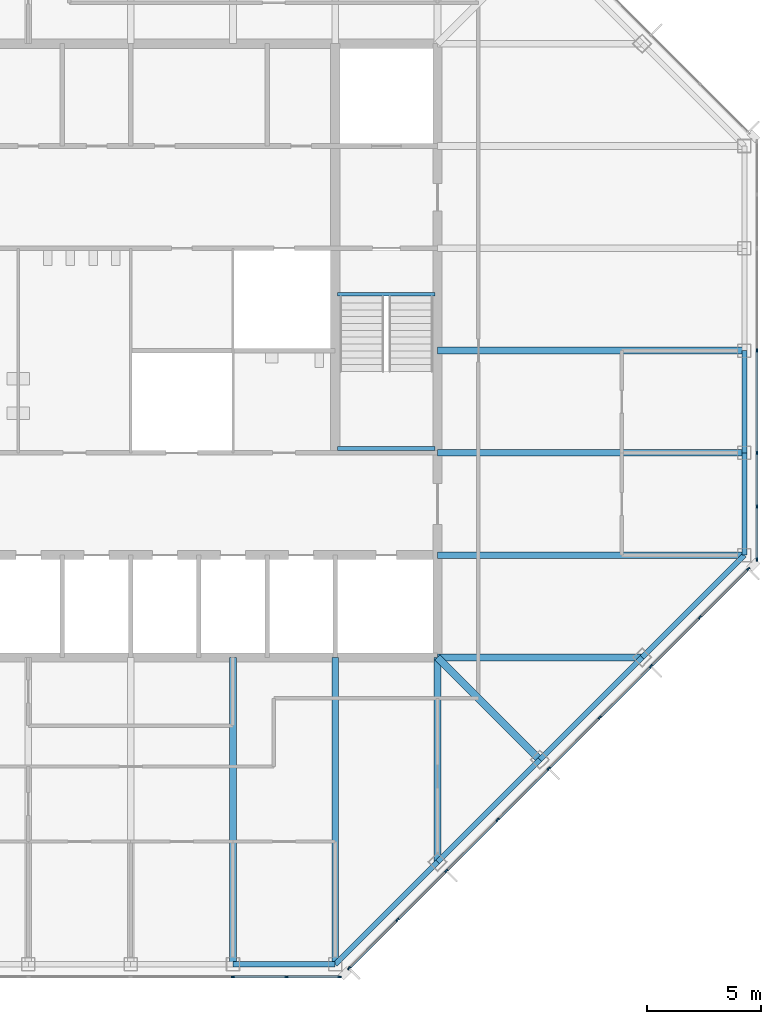
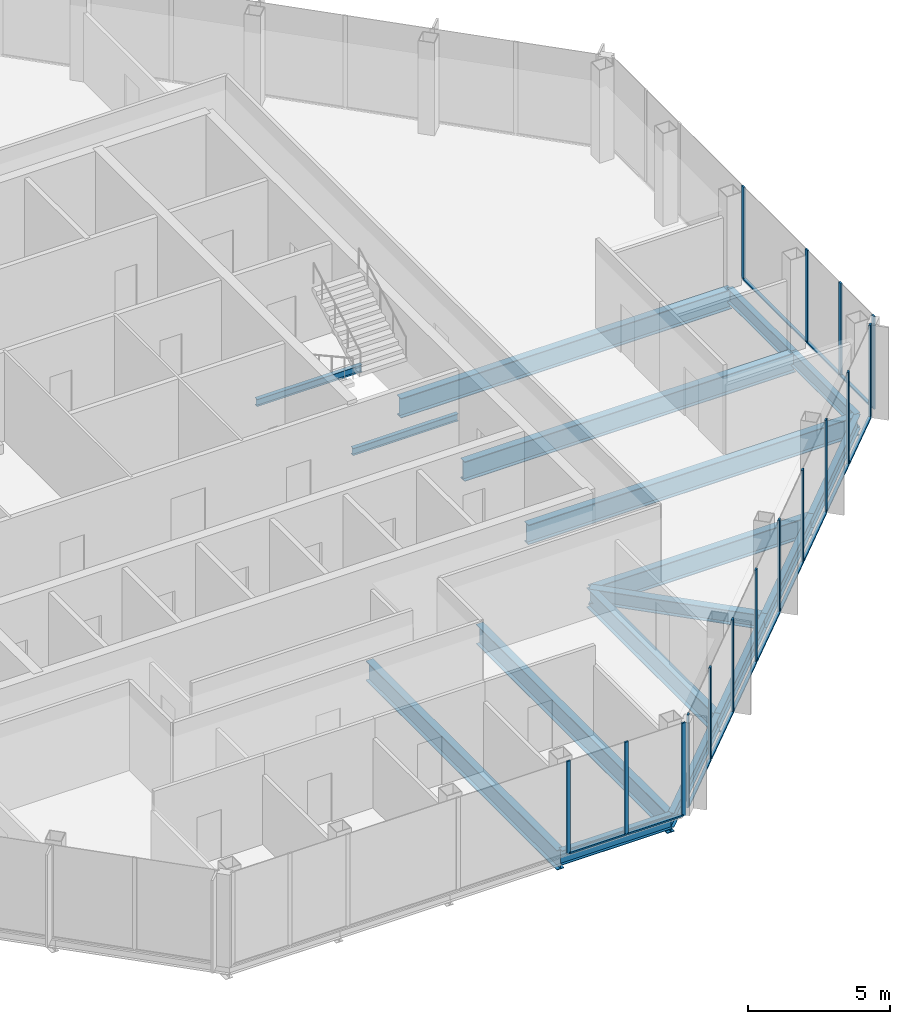
# One storey, part 4 of 13: 29 members, 17 beams, 3 elements without a shape of their own.
"""IFC4 building model written with IfcOpenShell, lengths in metres."""

from ifc_helpers import new_model, si_unit, direction, frame, origin, origin_2d, place, context, subcontext, project, spatial, rectangle, i_section, extrude, material, material_profile, profile_set, type_object, element, aggregate, save


model = new_model("IFC4")

# Units and contexts
model_context = context("Model", 3, precision=1e-05, world=origin(), true_north=direction((0.0, 1.0)))
body_context = subcontext(model_context, "Body", "Model", "MODEL_VIEW")
ifc_project = project(units=[si_unit("LENGTHUNIT", "METRE"), si_unit("AREAUNIT", "SQUARE_METRE"), si_unit("VOLUMEUNIT", "CUBIC_METRE"), si_unit("PLANEANGLEUNIT", "RADIAN"), si_unit("MASSUNIT", "GRAM", prefix="KILO")], contexts=[model_context])

# Site, building, storey
site_placement = place(None, origin())
site = spatial("IfcSite", under=ifc_project, at=site_placement, CompositionType="ELEMENT")
building_placement = place(site_placement, origin())
building = spatial("IfcBuilding", under=site, at=building_placement, Name="Corais Broadcast Tower", CompositionType="ELEMENT")
storey_placement = place(building_placement, frame((0.0, 0.0, 274.60009765625)))
storey = spatial("IfcBuildingStorey", under=building, at=storey_placement, Name="L64", CompositionType="ELEMENT", Elevation=274.60009765625)

# Beams
ifc_material_1 = material(Name="Steel ASTM A572 Grade 50", Category="steel")
ifc_material_profile_1 = material_profile(ifc_material_1, i_section(OverallWidth=0.323974609375, OverallDepth=0.611083984375, WebThickness=0.0126953125, FlangeThickness=0.01904296875, at=origin_2d()), Name="W610x155")
ifc_profile_set_1 = profile_set([ifc_material_profile_1], Name="Steel ASTM A572 Grade 50")
beam_type_1 = type_object("IfcBeamType", Name="Corner diagonal W610x155", PredefinedType="BEAM", material=ifc_profile_set_1)
beam_1_placement = place(storey_placement, frame((45.0, 9.0, -0.465576171875), z_axis=(-0.707106781187, 0.707106781187, 0.0), x_axis=(-0.707106781187, -0.707106781187, 0.0)))
element("IfcBeam", 1, at=beam_1_placement, inside=storey, type_object=beam_type_1, Name="B6 C/13 to D/12", PredefinedType="BEAM", context=body_context, shape_type="SweptSolid", body=[
    extrude(i_section(OverallWidth=0.323974609375, OverallDepth=0.611083984375, WebThickness=0.0126953125, FlangeThickness=0.01904296875, at=origin_2d()), origin(), (0.0, 0.0, 1.0), 6.364013671875),
])
ifc_material_2 = material(Name="Steel ASTM A572 Grade 50", Category="steel")
ifc_material_profile_2 = material_profile(ifc_material_2, i_section(OverallWidth=0.2939453125, OverallDepth=0.85107421875, WebThickness=0.01611328125, FlangeThickness=0.02685546875, at=origin_2d()), Name="W840x226")
ifc_profile_set_2 = profile_set([ifc_material_profile_2], Name="Steel ASTM A572 Grade 50")
beam_type_2 = type_object("IfcBeamType", Name="Floor beam W840x226", PredefinedType="BEAM", material=ifc_profile_set_2)
for number, where, z_axis, x_axis, name in (
    (2, (31.5, 0.0, -0.585693359375), (0.0, 1.0, 0.0), (-1.0, 0.0, 0.0), "B1 A/10 to D/10"),
    (3, (36.0, 0.0, -0.585693359375), (0.0, 1.0, 0.0), (-1.0, 0.0, 0.0), "B1 A/11 to D/11"),
):
    element("IfcBeam", number, at=place(storey_placement, frame(where, z_axis=z_axis, x_axis=x_axis)), inside=storey, type_object=beam_type_2, Name=name, PredefinedType="BEAM", context=body_context, shape_type="SweptSolid", body=[
        extrude(i_section(OverallWidth=0.2939453125, OverallDepth=0.85107421875, WebThickness=0.01611328125, FlangeThickness=0.02685546875, at=origin_2d()), origin(), (0.0, 0.0, 1.0), 13.5),
    ])
for number, where, z_axis, x_axis, name in (
    (4, (40.5, 4.5, -0.585693359375), (0.0, 1.0, 0.0), (-1.0, 0.0, 0.0), "B1 B/12 to D/12"),
    (5, (49.5, 13.5, -0.585693359375), (-1.0, 0.0, 0.0), (0.0, -1.0, 0.0), "B1 D/14 to D/12"),
):
    element("IfcBeam", number, at=place(storey_placement, frame(where, z_axis=z_axis, x_axis=x_axis)), inside=storey, type_object=beam_type_2, Name=name, PredefinedType="BEAM", context=body_context, shape_type="SweptSolid", body=[
        extrude(i_section(OverallWidth=0.2939453125, OverallDepth=0.85107421875, WebThickness=0.01611328125, FlangeThickness=0.02685546875, at=origin_2d()), origin(), (0.0, 0.0, 1.0), 9.0),
    ])
for number, where, z_axis, x_axis, name in (
    (6, (54.0, 18.0, -0.585693359375), (-1.0, 0.0, 0.0), (0.0, -1.0, 0.0), "B1 E/15 to E/12"),
    (7, (54.0, 22.5, -0.585693359375), (-1.0, 0.0, 0.0), (0.0, -1.0, 0.0), "B1 F/15 to F/12"),
    (8, (54.0, 27.0, -0.585693359375), (-1.0, 0.0, 0.0), (0.0, -1.0, 0.0), "B1 G/15 to G/12"),
):
    element("IfcBeam", number, at=place(storey_placement, frame(where, z_axis=z_axis, x_axis=x_axis)), inside=storey, type_object=beam_type_2, Name=name, PredefinedType="BEAM", context=body_context, shape_type="SweptSolid", body=[
        extrude(i_section(OverallWidth=0.2939453125, OverallDepth=0.85107421875, WebThickness=0.01611328125, FlangeThickness=0.02685546875, at=origin_2d()), origin(), (0.0, 0.0, 1.0), 13.5),
    ])
ifc_material_3 = material(Name="Steel ASTM A572 Grade 50", Category="steel")
ifc_material_profile_3 = material_profile(ifc_material_3, i_section(OverallWidth=0.1650390625, OverallDepth=0.31005859375, WebThickness=0.005859375, FlangeThickness=0.009765625, at=origin_2d()), Name="W310x38.7")
ifc_profile_set_3 = profile_set([ifc_material_profile_3], Name="Steel ASTM A572 Grade 50")
beam_type_3 = type_object("IfcBeamType", Name="Landing trimmer W310x38.7", PredefinedType="BEAM", material=ifc_profile_set_3)
for number, where, z_axis, x_axis, name in (
    (9, (36.10009765625, 29.47509765625, -0.35498046875), (1.0, 0.0, 0.0), (0.0, 1.0, 0.0), "LT1 stair B landing trimmer L64"),
    (10, (36.10009765625, 22.68994140625, 1.64501953125), (1.0, 0.0, 0.0), (0.0, 1.0, 0.0), "LT1 stair B half landing trimmer L64"),
):
    element("IfcBeam", number, at=place(storey_placement, frame(where, z_axis=z_axis, x_axis=x_axis)), inside=storey, type_object=beam_type_3, Name=name, PredefinedType="BEAM", context=body_context, shape_type="SweptSolid", body=[
        extrude(i_section(OverallWidth=0.1650390625, OverallDepth=0.31005859375, WebThickness=0.005859375, FlangeThickness=0.009765625, at=origin_2d()), origin(), (0.0, 0.0, 1.0), 4.2998046875),
    ])

# Curtain wall, members
ifc_material_4 = material(Name="Aluminium and glass", Category="aluminium")
curtain_wall_type = type_object("IfcCurtainWallType", Name="Unitised fritted curtain wall CW3", PredefinedType="NOTDEFINED", material=ifc_material_4)
curtain_wall_1_placement = place(storey_placement, origin())
curtain_wall_1 = element("IfcCurtainWall", 11, at=curtain_wall_1_placement, inside=storey, type_object=curtain_wall_type, Name="CW3 curtain wall L64 6", PredefinedType="NOTDEFINED")
ifc_material_5 = material(Name="Aluminium 6063-T6", Category="aluminium")
ifc_material_profile_4 = material_profile(ifc_material_5, rectangle(XDim=0.06494140625, YDim=0.159912109375, at=origin_2d()), Name="Mullion CW3 65x160")
ifc_profile_set_4 = profile_set([ifc_material_profile_4], Name="Aluminium 6063-T6")
member_type_1 = type_object("IfcMemberType", Name="Mullion CW3 65x160", PredefinedType="MULLION", material=ifc_profile_set_4)
member_1_placement = place(storey_placement, frame((54.550048828125, 27.0, 0.0), z_axis=(0.0, 0.0, 1.0), x_axis=(1.0, 0.0, 0.0)))
member_1 = element("IfcMember", 12, at=member_1_placement, type_object=member_type_1, Name="CW3 mullion 4", PredefinedType="MULLION", context=body_context, shape_type="SweptSolid", body=[
    extrude(rectangle(XDim=0.06494140625, YDim=0.159912109375, at=origin_2d()), origin(), (0.0, 0.0, 1.0), 4.0),
])
member_2_placement = place(storey_placement, frame((54.550048828125, 22.5, 0.0), z_axis=(0.0, 0.0, 1.0), x_axis=(1.0, 0.0, 0.0)))
member_2 = element("IfcMember", 13, at=member_2_placement, type_object=member_type_1, Name="CW3 mullion 5", PredefinedType="MULLION", context=body_context, shape_type="SweptSolid", body=[
    extrude(rectangle(XDim=0.06494140625, YDim=0.159912109375, at=origin_2d()), origin(), (0.0, 0.0, 1.0), 4.0),
])
member_3_placement = place(storey_placement, frame((54.550048828125, 20.135986328125, 0.0), z_axis=(0.0, 0.0, 1.0), x_axis=(1.0, 0.0, 0.0)))
member_3 = element("IfcMember", 14, at=member_3_placement, type_object=member_type_1, Name="CW3 mullion 6", PredefinedType="MULLION", context=body_context, shape_type="SweptSolid", body=[
    extrude(rectangle(XDim=0.06494140625, YDim=0.159912109375, at=origin_2d()), origin(), (0.0, 0.0, 1.0), 4.0),
])
member_4_placement = place(storey_placement, frame((54.550048828125, 17.8046875, 0.0), z_axis=(0.0, 0.0, 1.0), x_axis=(1.0, 0.0, 0.0)))
member_4 = element("IfcMember", 15, at=member_4_placement, type_object=member_type_1, Name="CW3 mullion 7", PredefinedType="MULLION", context=body_context, shape_type="SweptSolid", body=[
    extrude(rectangle(XDim=0.06494140625, YDim=0.159912109375, at=origin_2d()), origin(), (0.0, 0.0, 1.0), 4.0),
])

curtain_wall_2_placement = place(storey_placement, origin())
curtain_wall_2 = element("IfcCurtainWall", 16, at=curtain_wall_2_placement, inside=storey, type_object=curtain_wall_type, Name="CW3 curtain wall L64 7", PredefinedType="NOTDEFINED")
member_5_placement = place(storey_placement, frame((54.17333984375, 17.3955078125, 0.0), z_axis=(0.0, 0.0, 1.0), x_axis=(0.707106781187, -0.707106781187, 0.0)))
member_5 = element("IfcMember", 17, at=member_5_placement, type_object=member_type_1, Name="CW3 mullion 1", PredefinedType="MULLION", context=body_context, shape_type="SweptSolid", body=[
    extrude(rectangle(XDim=0.06494140625, YDim=0.159912109375, at=origin_2d()), origin(), (0.0, 0.0, 1.0), 4.0),
])
member_6_placement = place(storey_placement, frame((52.042724609375, 15.264892578125, 0.0), z_axis=(0.0, 0.0, 1.0), x_axis=(0.707106781187, -0.707106781187, 0.0)))
member_6 = element("IfcMember", 18, at=member_6_placement, type_object=member_type_1, Name="CW3 mullion 2", PredefinedType="MULLION", context=body_context, shape_type="SweptSolid", body=[
    extrude(rectangle(XDim=0.06494140625, YDim=0.159912109375, at=origin_2d()), origin(), (0.0, 0.0, 1.0), 4.0),
])
member_7_placement = place(storey_placement, frame((49.888916015625, 13.111083984375, 0.0), z_axis=(0.0, 0.0, 1.0), x_axis=(0.707106781187, -0.707106781187, 0.0)))
member_7 = element("IfcMember", 19, at=member_7_placement, type_object=member_type_1, Name="CW3 mullion 3", PredefinedType="MULLION", context=body_context, shape_type="SweptSolid", body=[
    extrude(rectangle(XDim=0.06494140625, YDim=0.159912109375, at=origin_2d()), origin(), (0.0, 0.0, 1.0), 4.0),
])
member_8_placement = place(storey_placement, frame((47.638916015625, 10.861083984375, 0.0), z_axis=(0.0, 0.0, 1.0), x_axis=(0.707106781187, -0.707106781187, 0.0)))
member_8 = element("IfcMember", 20, at=member_8_placement, type_object=member_type_1, Name="CW3 mullion 4", PredefinedType="MULLION", context=body_context, shape_type="SweptSolid", body=[
    extrude(rectangle(XDim=0.06494140625, YDim=0.159912109375, at=origin_2d()), origin(), (0.0, 0.0, 1.0), 4.0),
])
member_9_placement = place(storey_placement, frame((45.388916015625, 8.611083984375, 0.0), z_axis=(0.0, 0.0, 1.0), x_axis=(0.707106781187, -0.707106781187, 0.0)))
member_9 = element("IfcMember", 21, at=member_9_placement, type_object=member_type_1, Name="CW3 mullion 5", PredefinedType="MULLION", context=body_context, shape_type="SweptSolid", body=[
    extrude(rectangle(XDim=0.06494140625, YDim=0.159912109375, at=origin_2d()), origin(), (0.0, 0.0, 1.0), 4.0),
])
member_10_placement = place(storey_placement, frame((43.138916015625, 6.361083984375, 0.0), z_axis=(0.0, 0.0, 1.0), x_axis=(0.707106781187, -0.707106781187, 0.0)))
member_10 = element("IfcMember", 22, at=member_10_placement, type_object=member_type_1, Name="CW3 mullion 6", PredefinedType="MULLION", context=body_context, shape_type="SweptSolid", body=[
    extrude(rectangle(XDim=0.06494140625, YDim=0.159912109375, at=origin_2d()), origin(), (0.0, 0.0, 1.0), 4.0),
])
member_11_placement = place(storey_placement, frame((40.888916015625, 4.111083984375, 0.0), z_axis=(0.0, 0.0, 1.0), x_axis=(0.707106781187, -0.707106781187, 0.0)))
member_11 = element("IfcMember", 23, at=member_11_placement, type_object=member_type_1, Name="CW3 mullion 7", PredefinedType="MULLION", context=body_context, shape_type="SweptSolid", body=[
    extrude(rectangle(XDim=0.06494140625, YDim=0.159912109375, at=origin_2d()), origin(), (0.0, 0.0, 1.0), 4.0),
])
member_12_placement = place(storey_placement, frame((38.735107421875, 1.957275390625, 0.0), z_axis=(0.0, 0.0, 1.0), x_axis=(0.707106781187, -0.707106781187, 0.0)))
member_12 = element("IfcMember", 24, at=member_12_placement, type_object=member_type_1, Name="CW3 mullion 8", PredefinedType="MULLION", context=body_context, shape_type="SweptSolid", body=[
    extrude(rectangle(XDim=0.06494140625, YDim=0.159912109375, at=origin_2d()), origin(), (0.0, 0.0, 1.0), 4.0),
])
member_13_placement = place(storey_placement, frame((36.6044921875, -0.17333984375, 0.0), z_axis=(0.0, 0.0, 1.0), x_axis=(0.707106781187, -0.707106781187, 0.0)))
member_13 = element("IfcMember", 25, at=member_13_placement, type_object=member_type_1, Name="CW3 mullion 9", PredefinedType="MULLION", context=body_context, shape_type="SweptSolid", body=[
    extrude(rectangle(XDim=0.06494140625, YDim=0.159912109375, at=origin_2d()), origin(), (0.0, 0.0, 1.0), 4.0),
])

curtain_wall_3_placement = place(storey_placement, origin())
curtain_wall_3 = element("IfcCurtainWall", 26, at=curtain_wall_3_placement, inside=storey, type_object=curtain_wall_type, Name="CW3 curtain wall L64 8", PredefinedType="NOTDEFINED")
member_14_placement = place(storey_placement, frame((36.1953125, -0.550048828125, 0.0), z_axis=(0.0, 0.0, 1.0), x_axis=(0.0, -1.0, 0.0)))
member_14 = element("IfcMember", 27, at=member_14_placement, type_object=member_type_1, Name="CW3 mullion 1", PredefinedType="MULLION", context=body_context, shape_type="SweptSolid", body=[
    extrude(rectangle(XDim=0.06494140625, YDim=0.159912109375, at=origin_2d()), origin(), (0.0, 0.0, 1.0), 4.0),
])
member_15_placement = place(storey_placement, frame((33.864013671875, -0.550048828125, 0.0), z_axis=(0.0, 0.0, 1.0), x_axis=(0.0, -1.0, 0.0)))
member_15 = element("IfcMember", 28, at=member_15_placement, type_object=member_type_1, Name="CW3 mullion 2", PredefinedType="MULLION", context=body_context, shape_type="SweptSolid", body=[
    extrude(rectangle(XDim=0.06494140625, YDim=0.159912109375, at=origin_2d()), origin(), (0.0, 0.0, 1.0), 4.0),
])
member_16_placement = place(storey_placement, frame((31.5, -0.550048828125, 0.0), z_axis=(0.0, 0.0, 1.0), x_axis=(0.0, -1.0, 0.0)))
member_16 = element("IfcMember", 29, at=member_16_placement, type_object=member_type_1, Name="CW3 mullion 3", PredefinedType="MULLION", context=body_context, shape_type="SweptSolid", body=[
    extrude(rectangle(XDim=0.06494140625, YDim=0.159912109375, at=origin_2d()), origin(), (0.0, 0.0, 1.0), 4.0),
])

# Beams
ifc_material_6 = material(Name="Steel ASTM A572 Grade 50", Category="steel")
ifc_material_profile_5 = material_profile(ifc_material_6, i_section(OverallWidth=0.22998046875, OverallDepth=0.616943359375, WebThickness=0.01318359375, FlangeThickness=0.022216796875, at=origin_2d()), Name="W610x140")
ifc_profile_set_5 = profile_set([ifc_material_profile_5], Name="Steel ASTM A572 Grade 50")
beam_type_4 = type_object("IfcBeamType", Name="Spandrel W610x140", PredefinedType="BEAM", material=ifc_profile_set_5)
beam_2_placement = place(storey_placement, frame((31.5, 0.0, -0.468505859375), z_axis=(1.0, 0.0, 0.0), x_axis=(0.0, 1.0, 0.0)))
element("IfcBeam", 30, at=beam_2_placement, inside=storey, type_object=beam_type_4, Name="SB3 A/10 to A/11", PredefinedType="BEAM", context=body_context, shape_type="SweptSolid", body=[
    extrude(i_section(OverallWidth=0.22998046875, OverallDepth=0.616943359375, WebThickness=0.01318359375, FlangeThickness=0.022216796875, at=origin_2d()), origin(), (0.0, 0.0, 1.0), 4.5),
])
for number, where, z_axis, x_axis, name in (
    (31, (36.0, 0.0, -0.468505859375), (0.707106781187, 0.707106781187, 0.0), (-0.707106781187, 0.707106781187, 0.0), "SB3 A/11 to B/12"),
    (32, (40.5, 4.5, -0.468505859375), (0.707106781187, 0.707106781187, 0.0), (-0.707106781187, 0.707106781187, 0.0), "SB3 B/12 to C/13"),
    (33, (45.0, 9.0, -0.468505859375), (0.707106781187, 0.707106781187, 0.0), (-0.707106781187, 0.707106781187, 0.0), "SB3 C/13 to D/14"),
    (34, (49.5, 13.5, -0.468505859375), (0.707106781187, 0.707106781187, 0.0), (-0.707106781187, 0.707106781187, 0.0), "SB3 D/14 to E/15"),
):
    element("IfcBeam", number, at=place(storey_placement, frame(where, z_axis=z_axis, x_axis=x_axis)), inside=storey, type_object=beam_type_4, Name=name, PredefinedType="BEAM", context=body_context, shape_type="SweptSolid", body=[
        extrude(i_section(OverallWidth=0.22998046875, OverallDepth=0.616943359375, WebThickness=0.01318359375, FlangeThickness=0.022216796875, at=origin_2d()), origin(), (0.0, 0.0, 1.0), 6.364013671875),
    ])
for number, where, z_axis, x_axis, name in (
    (35, (54.0, 18.0, -0.468505859375), (0.0, 1.0, 0.0), (-1.0, 0.0, 0.0), "SB3 E/15 to F/15"),
    (36, (54.0, 22.5, -0.468505859375), (0.0, 1.0, 0.0), (-1.0, 0.0, 0.0), "SB3 F/15 to G/15"),
):
    element("IfcBeam", number, at=place(storey_placement, frame(where, z_axis=z_axis, x_axis=x_axis)), inside=storey, type_object=beam_type_4, Name=name, PredefinedType="BEAM", context=body_context, shape_type="SweptSolid", body=[
        extrude(i_section(OverallWidth=0.22998046875, OverallDepth=0.616943359375, WebThickness=0.01318359375, FlangeThickness=0.022216796875, at=origin_2d()), origin(), (0.0, 0.0, 1.0), 4.5),
    ])

# Member
ifc_material_7 = material(Name="Aluminium 6063-T6", Category="aluminium")
ifc_material_profile_6 = material_profile(ifc_material_7, rectangle(XDim=0.1201171875, YDim=0.06494140625, at=origin_2d()), Name="Transom CW3 65x120")
ifc_profile_set_6 = profile_set([ifc_material_profile_6], Name="Aluminium 6063-T6")
member_type_2 = type_object("IfcMemberType", Name="Transom CW3 65x120", PredefinedType="USERDEFINED", material=ifc_profile_set_6)
member_17_placement = place(storey_placement, frame((54.550048828125, 26.967529296875, 0.032470703125), z_axis=(0.0, -1.0, 0.0), x_axis=(1.0, 0.0, 0.0)))
member_17 = element("IfcMember", 37, at=member_17_placement, type_object=member_type_2, Name="CW3 transom 4.1", ObjectType="TRANSOM", PredefinedType="USERDEFINED", context=body_context, shape_type="SweptSolid", body=[
    extrude(rectangle(XDim=0.1201171875, YDim=0.06494140625, at=origin_2d()), origin(), (0.0, 0.0, 1.0), 4.43505859375),
])

member_18_placement = place(storey_placement, frame((54.550048828125, 22.467529296875, 0.032470703125), z_axis=(0.0, -1.0, 0.0), x_axis=(1.0, 0.0, 0.0)))
member_18 = element("IfcMember", 38, at=member_18_placement, type_object=member_type_2, Name="CW3 transom 5.1", ObjectType="TRANSOM", PredefinedType="USERDEFINED", context=body_context, shape_type="SweptSolid", body=[
    extrude(rectangle(XDim=0.1201171875, YDim=0.06494140625, at=origin_2d()), origin(), (0.0, 0.0, 1.0), 2.298828125),
])

member_19_placement = place(storey_placement, frame((54.550048828125, 20.103515625, 0.032470703125), z_axis=(0.0, -1.0, 0.0), x_axis=(1.0, 0.0, 0.0)))
member_19 = element("IfcMember", 39, at=member_19_placement, type_object=member_type_2, Name="CW3 transom 6.1", ObjectType="TRANSOM", PredefinedType="USERDEFINED", context=body_context, shape_type="SweptSolid", body=[
    extrude(rectangle(XDim=0.1201171875, YDim=0.06494140625, at=origin_2d()), origin(), (0.0, 0.0, 1.0), 2.266357421875),
])

aggregate(curtain_wall_1, [member_1, member_2, member_3, member_4, member_17, member_18, member_19])

member_20_placement = place(storey_placement, frame((54.150390625, 17.37255859375, 0.032470703125), z_axis=(-0.707106781187, -0.707106781187, 0.0), x_axis=(0.707106781187, -0.707106781187, 0.0)))
member_20 = element("IfcMember", 40, at=member_20_placement, type_object=member_type_2, Name="CW3 transom 1.1", ObjectType="TRANSOM", PredefinedType="USERDEFINED", context=body_context, shape_type="SweptSolid", body=[
    extrude(rectangle(XDim=0.1201171875, YDim=0.06494140625, at=origin_2d()), origin(), (0.0, 0.0, 1.0), 2.9482421875),
])

member_21_placement = place(storey_placement, frame((52.019775390625, 15.241943359375, 0.032470703125), z_axis=(-0.707106781187, -0.707106781187, 0.0), x_axis=(0.707106781187, -0.707106781187, 0.0)))
member_21 = element("IfcMember", 41, at=member_21_placement, type_object=member_type_2, Name="CW3 transom 2.1", ObjectType="TRANSOM", PredefinedType="USERDEFINED", context=body_context, shape_type="SweptSolid", body=[
    extrude(rectangle(XDim=0.1201171875, YDim=0.06494140625, at=origin_2d()), origin(), (0.0, 0.0, 1.0), 2.98095703125),
])

member_22_placement = place(storey_placement, frame((49.865966796875, 13.088134765625, 0.032470703125), z_axis=(-0.707106781187, -0.707106781187, 0.0), x_axis=(0.707106781187, -0.707106781187, 0.0)))
member_22 = element("IfcMember", 42, at=member_22_placement, type_object=member_type_2, Name="CW3 transom 3.1", ObjectType="TRANSOM", PredefinedType="USERDEFINED", context=body_context, shape_type="SweptSolid", body=[
    extrude(rectangle(XDim=0.1201171875, YDim=0.06494140625, at=origin_2d()), origin(), (0.0, 0.0, 1.0), 3.1171875),
])

member_23_placement = place(storey_placement, frame((47.615966796875, 10.838134765625, 0.032470703125), z_axis=(-0.707106781187, -0.707106781187, 0.0), x_axis=(0.707106781187, -0.707106781187, 0.0)))
member_23 = element("IfcMember", 43, at=member_23_placement, type_object=member_type_2, Name="CW3 transom 4.1", ObjectType="TRANSOM", PredefinedType="USERDEFINED", context=body_context, shape_type="SweptSolid", body=[
    extrude(rectangle(XDim=0.1201171875, YDim=0.06494140625, at=origin_2d()), origin(), (0.0, 0.0, 1.0), 3.1171875),
])

member_24_placement = place(storey_placement, frame((45.365966796875, 8.588134765625, 0.032470703125), z_axis=(-0.707106781187, -0.707106781187, 0.0), x_axis=(0.707106781187, -0.707106781187, 0.0)))
member_24 = element("IfcMember", 44, at=member_24_placement, type_object=member_type_2, Name="CW3 transom 5.1", ObjectType="TRANSOM", PredefinedType="USERDEFINED", context=body_context, shape_type="SweptSolid", body=[
    extrude(rectangle(XDim=0.1201171875, YDim=0.06494140625, at=origin_2d()), origin(), (0.0, 0.0, 1.0), 3.1171875),
])

member_25_placement = place(storey_placement, frame((43.115966796875, 6.338134765625, 0.032470703125), z_axis=(-0.707106781187, -0.707106781187, 0.0), x_axis=(0.707106781187, -0.707106781187, 0.0)))
member_25 = element("IfcMember", 45, at=member_25_placement, type_object=member_type_2, Name="CW3 transom 6.1", ObjectType="TRANSOM", PredefinedType="USERDEFINED", context=body_context, shape_type="SweptSolid", body=[
    extrude(rectangle(XDim=0.1201171875, YDim=0.06494140625, at=origin_2d()), origin(), (0.0, 0.0, 1.0), 3.1171875),
])

member_26_placement = place(storey_placement, frame((40.865966796875, 4.088134765625, 0.032470703125), z_axis=(-0.70714773134, -0.707065828661, 0.0), x_axis=(0.707065828661, -0.70714773134, 0.0)))
member_26 = element("IfcMember", 46, at=member_26_placement, type_object=member_type_2, Name="CW3 transom 7.1", ObjectType="TRANSOM", PredefinedType="USERDEFINED", context=body_context, shape_type="SweptSolid", body=[
    extrude(rectangle(XDim=0.1201171875, YDim=0.06494140625, at=origin_2d()), origin(), (0.0, 0.0, 1.0), 2.98095703125),
])

member_27_placement = place(storey_placement, frame((38.712158203125, 1.934326171875, 0.032470703125), z_axis=(-0.707106781187, -0.707106781187, 0.0), x_axis=(0.707106781187, -0.707106781187, 0.0)))
member_27 = element("IfcMember", 47, at=member_27_placement, type_object=member_type_2, Name="CW3 transom 8.1", ObjectType="TRANSOM", PredefinedType="USERDEFINED", context=body_context, shape_type="SweptSolid", body=[
    extrude(rectangle(XDim=0.1201171875, YDim=0.06494140625, at=origin_2d()), origin(), (0.0, 0.0, 1.0), 2.9482421875),
])

aggregate(curtain_wall_2, [member_5, member_6, member_7, member_8, member_9, member_10, member_11, member_12, member_13, member_20, member_21, member_22, member_23, member_24, member_25, member_26, member_27])

member_28_placement = place(storey_placement, frame((36.162841796875, -0.550048828125, 0.032470703125), z_axis=(-1.0, 0.0, 0.0), x_axis=(0.0, -1.0, 0.0)))
member_28 = element("IfcMember", 48, at=member_28_placement, type_object=member_type_2, Name="CW3 transom 1.1", ObjectType="TRANSOM", PredefinedType="USERDEFINED", context=body_context, shape_type="SweptSolid", body=[
    extrude(rectangle(XDim=0.1201171875, YDim=0.06494140625, at=origin_2d()), origin(), (0.0, 0.0, 1.0), 2.266357421875),
])

member_29_placement = place(storey_placement, frame((33.831298828125, -0.550048828125, 0.032470703125), z_axis=(-1.0, 0.0, 0.0), x_axis=(0.0, -1.0, 0.0)))
member_29 = element("IfcMember", 49, at=member_29_placement, type_object=member_type_2, Name="CW3 transom 2.1", ObjectType="TRANSOM", PredefinedType="USERDEFINED", context=body_context, shape_type="SweptSolid", body=[
    extrude(rectangle(XDim=0.1201171875, YDim=0.06494140625, at=origin_2d()), origin(), (0.0, 0.0, 1.0), 2.298828125),
])

aggregate(curtain_wall_3, [member_14, member_15, member_16, member_28, member_29])

save(model, "model.ifc")
